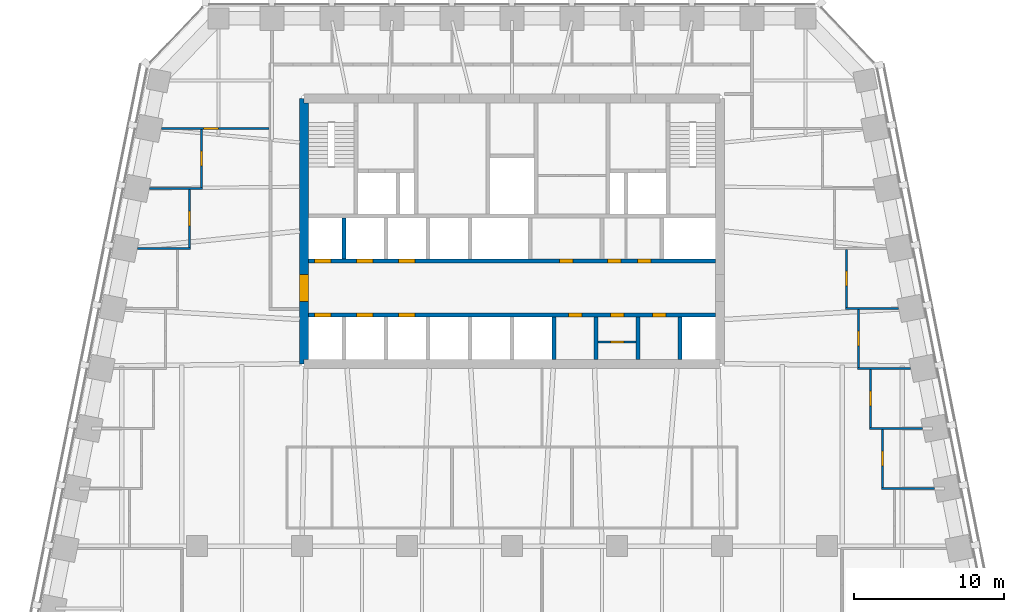
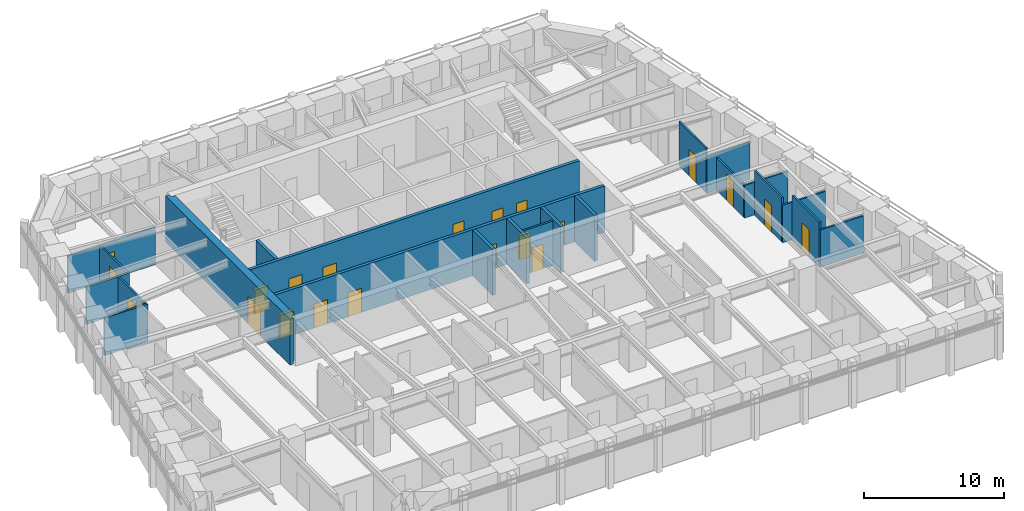
# One storey, part 7 of 11: 22 walls, 21 doors, 21 openings.
"""IFC4 building model written with IfcOpenShell, lengths in metres."""

from ifc_helpers import new_model, si_unit, direction, frame, frame_2d, origin, place, context, subcontext, project, spatial, polyline, rectangle, outline, extrude, material, layer, layer_set, type_object, element, fill, save


model = new_model("IFC4")

# Units and contexts
model_context = context("Model", 3, precision=1e-05, world=origin(), true_north=direction((0.0, 1.0)))
body_context = subcontext(model_context, "Body", "Model", "MODEL_VIEW")
ifc_project = project(units=[si_unit("LENGTHUNIT", "METRE"), si_unit("AREAUNIT", "SQUARE_METRE"), si_unit("VOLUMEUNIT", "CUBIC_METRE"), si_unit("PLANEANGLEUNIT", "RADIAN"), si_unit("MASSUNIT", "GRAM", prefix="KILO")], contexts=[model_context])

# Site, building, storey
site_placement = place(None, origin())
site = spatial("IfcSite", under=ifc_project, at=site_placement, CompositionType="ELEMENT")
building_placement = place(site_placement, origin())
building = spatial("IfcBuilding", under=site, at=building_placement, Name="Isbrekke Arena Tower", CompositionType="ELEMENT")
storey_placement = place(building_placement, frame((0.0, 0.0, 202.0)))
storey = spatial("IfcBuildingStorey", under=building, at=storey_placement, Name="L46", CompositionType="ELEMENT", Elevation=202.0)

# Wall, opening, door
ifc_material_1 = material(Name="Concrete B55 (C55/67)", Category="concrete")
ifc_layer_1 = layer(ifc_material_1, 0.60009765625)
ifc_layer_set_1 = layer_set([ifc_layer_1], Name="CW4 CORE WALL 600")
wall_type_1 = type_object("IfcWallType", Name="CW4 CORE WALL 600", PredefinedType="SHEAR", material=ifc_layer_set_1)
wall_1_placement = place(storey_placement, frame((-13.85009765625, 23.85009765625, 0.0), z_axis=(0.0, 0.0, 1.0), x_axis=(0.0, -1.0, 0.0)))
wall_1 = element("IfcWall", 1, at=wall_1_placement, inside=storey, type_object=wall_type_1, Name="Core wall W L46", PredefinedType="SHEAR", context=body_context, shape_type="SweptSolid", body=[
    extrude(outline(polyline([(0.0, -0.300048828125), (17.7001953125, -0.300048828125), (17.7001953125, 0.0), (17.400146484375, 0.0), (17.400146484375, 0.300048828125), (0.300048828125, 0.300048828125), (0.300048828125, 0.0), (0.0, 0.0), (0.0, -0.300048828125)])), origin(), (0.0, 0.0, 1.0), 4.0),
])
opening_1_placement = place(wall_1_placement, frame((11.75, 0.0, 0.0)))
opening_1 = element("IfcOpeningElement", 2, at=opening_1_placement, cuts=wall_1, Name="Opening D1", PredefinedType="OPENING", context=body_context, shape_type="SweptSolid", body=[
    extrude(rectangle(XDim=1.800048828125, YDim=2.39990234375, at=frame_2d((0.89990234375, 1.199951171875))), frame((0.0, 0.31494140625, 0.0), z_axis=(0.0, -1.0, 0.0), x_axis=(1.0, 0.0, 0.0)), (0.0, 0.0, 1.0), 0.6298828125),
])
ifc_material_2 = material(Name="Steel-framed glazed fire door", Category="steel")
door_type_1 = type_object("IfcDoorType", Name="D1 CORE LOBBY DOOR 1800 x 2400", OperationType="DOUBLE_DOOR_SINGLE_SWING", PredefinedType="DOOR", material=ifc_material_2)
door_1_placement = place(opening_1_placement, origin())
door_1 = element("IfcDoor", 3, at=door_1_placement, inside=storey, type_object=door_type_1, Name="D1 lift lobby door west L46", OperationType="DOUBLE_DOOR_SINGLE_SWING", OverallHeight=2.39990234375, OverallWidth=1.800048828125, PredefinedType="DOOR", context=body_context, shape_type="SweptSolid", body=[
    extrude(rectangle(XDim=1.800048828125, YDim=2.39990234375, at=frame_2d((0.89990234375, 1.199951171875))), frame((0.0, 0.2998046875, 0.0), z_axis=(0.0, -1.0, 0.0), x_axis=(1.0, 0.0, 0.0)), (0.0, 0.0, 1.0), 0.599609375),
])
fill(opening_1, door_1)

# Wall, openings, doors
ifc_material_3 = material(Name="Concrete B45 (C45/55)", Category="concrete")
ifc_layer_2 = layer(ifc_material_3, 0.25)
ifc_layer_set_2 = layer_set([ifc_layer_2], Name="CW6 SHAFT WALL 250")
wall_type_2 = type_object("IfcWallType", Name="CW6 SHAFT WALL 250", PredefinedType="SHEAR", material=ifc_layer_set_2)
wall_2_placement = place(storey_placement, frame((-13.550048828125, 9.39990234375, 0.0), z_axis=(0.0, 0.0, 1.0), x_axis=(1.0, 0.0, 0.0)))
wall_2 = element("IfcWall", 4, at=wall_2_placement, inside=storey, type_object=wall_type_2, Name="Core wall LS L46", PredefinedType="SHEAR", context=body_context, shape_type="SweptSolid", body=[
    extrude(rectangle(XDim=27.10009765625, YDim=0.25, at=frame_2d((13.550048828125, 0.0))), origin(), (0.0, 0.0, 1.0), 4.0),
])
opening_2_placement = place(wall_2_placement, frame((0.39990234375, 0.0, 0.0)))
opening_2 = element("IfcOpeningElement", 5, at=opening_2_placement, cuts=wall_2, Name="Opening LD1", PredefinedType="OPENING", context=body_context, shape_type="SweptSolid", body=[
    extrude(rectangle(XDim=1.10009765625, YDim=2.10009765625, at=frame_2d((0.550048828125, 1.050048828125))), frame((0.0, 0.139892578125, 0.0), z_axis=(0.0, -1.0, 0.0), x_axis=(1.0, 0.0, 0.0)), (0.0, 0.0, 1.0), 0.27978515625),
])
opening_3_placement = place(wall_2_placement, frame((3.199951171875, 0.0, 0.0)))
opening_3 = element("IfcOpeningElement", 6, at=opening_3_placement, cuts=wall_2, Name="Opening LD1", PredefinedType="OPENING", context=body_context, shape_type="SweptSolid", body=[
    extrude(rectangle(XDim=1.10009765625, YDim=2.10009765625, at=frame_2d((0.550048828125, 1.050048828125))), frame((0.0, 0.139892578125, 0.0), z_axis=(0.0, -1.0, 0.0), x_axis=(1.0, 0.0, 0.0)), (0.0, 0.0, 1.0), 0.27978515625),
])
opening_4_placement = place(wall_2_placement, frame((6.0, 0.0, 0.0)))
opening_4 = element("IfcOpeningElement", 7, at=opening_4_placement, cuts=wall_2, Name="Opening LD1", PredefinedType="OPENING", context=body_context, shape_type="SweptSolid", body=[
    extrude(rectangle(XDim=1.10009765625, YDim=2.10009765625, at=frame_2d((0.550048828125, 1.050048828125))), frame((0.0, 0.139892578125, 0.0), z_axis=(0.0, -1.0, 0.0), x_axis=(1.0, 0.0, 0.0)), (0.0, 0.0, 1.0), 0.27978515625),
])
opening_5_placement = place(wall_2_placement, frame((17.300048828125, 0.0, 0.0)))
opening_5 = element("IfcOpeningElement", 8, at=opening_5_placement, cuts=wall_2, Name="Opening D5", PredefinedType="OPENING", context=body_context, shape_type="SweptSolid", body=[
    extrude(rectangle(XDim=0.89990234375, YDim=2.10009765625, at=frame_2d((0.449951171875, 1.050048828125))), frame((0.0, 0.139892578125, 0.0), z_axis=(0.0, -1.0, 0.0), x_axis=(1.0, 0.0, 0.0)), (0.0, 0.0, 1.0), 0.27978515625),
])
opening_6_placement = place(wall_2_placement, frame((20.10009765625, 0.0, 0.0)))
opening_6 = element("IfcOpeningElement", 9, at=opening_6_placement, cuts=wall_2, Name="Opening D5", PredefinedType="OPENING", context=body_context, shape_type="SweptSolid", body=[
    extrude(rectangle(XDim=0.89990234375, YDim=2.10009765625, at=frame_2d((0.449951171875, 1.050048828125))), frame((0.0, 0.139892578125, 0.0), z_axis=(0.0, -1.0, 0.0), x_axis=(1.0, 0.0, 0.0)), (0.0, 0.0, 1.0), 0.27978515625),
])
opening_7_placement = place(wall_2_placement, frame((22.89990234375, 0.0, 0.0)))
opening_7 = element("IfcOpeningElement", 10, at=opening_7_placement, cuts=wall_2, Name="Opening D5", PredefinedType="OPENING", context=body_context, shape_type="SweptSolid", body=[
    extrude(rectangle(XDim=0.89990234375, YDim=2.10009765625, at=frame_2d((0.449951171875, 1.050048828125))), frame((0.0, 0.139892578125, 0.0), z_axis=(0.0, -1.0, 0.0), x_axis=(1.0, 0.0, 0.0)), (0.0, 0.0, 1.0), 0.27978515625),
])
ifc_material_4 = material(Name="Steel fire door", Category="steel")
door_type_2 = type_object("IfcDoorType", Name="D5 SERVICE DOOR 900 x 2100", OperationType="SINGLE_SWING_LEFT", PredefinedType="DOOR", material=ifc_material_4)
door_2_placement = place(opening_5_placement, origin())
door_2 = element("IfcDoor", 11, at=door_2_placement, inside=storey, type_object=door_type_2, Name="D5 archive door L46", OperationType="SINGLE_SWING_LEFT", OverallHeight=2.10009765625, OverallWidth=0.89990234375, PredefinedType="DOOR", context=body_context, shape_type="SweptSolid", body=[
    extrude(rectangle(XDim=0.89990234375, YDim=2.10009765625, at=frame_2d((0.449951171875, 1.050048828125))), frame((0.0, 0.124755859375, 0.0), z_axis=(0.0, -1.0, 0.0), x_axis=(1.0, 0.0, 0.0)), (0.0, 0.0, 1.0), 0.24951171875),
])
fill(opening_5, door_2)
door_3_placement = place(opening_6_placement, origin())
door_3 = element("IfcDoor", 12, at=door_3_placement, inside=storey, type_object=door_type_2, Name="D5 mothers' room door L46", OperationType="SINGLE_SWING_LEFT", OverallHeight=2.10009765625, OverallWidth=0.89990234375, PredefinedType="DOOR", context=body_context, shape_type="SweptSolid", body=[
    extrude(rectangle(XDim=0.89990234375, YDim=2.10009765625, at=frame_2d((0.449951171875, 1.050048828125))), frame((0.0, 0.124755859375, 0.0), z_axis=(0.0, -1.0, 0.0), x_axis=(1.0, 0.0, 0.0)), (0.0, 0.0, 1.0), 0.24951171875),
])
fill(opening_6, door_3)
door_4_placement = place(opening_7_placement, origin())
door_4 = element("IfcDoor", 13, at=door_4_placement, inside=storey, type_object=door_type_2, Name="D5 technical room door L46", OperationType="SINGLE_SWING_LEFT", OverallHeight=2.10009765625, OverallWidth=0.89990234375, PredefinedType="DOOR", context=body_context, shape_type="SweptSolid", body=[
    extrude(rectangle(XDim=0.89990234375, YDim=2.10009765625, at=frame_2d((0.449951171875, 1.050048828125))), frame((0.0, 0.124755859375, 0.0), z_axis=(0.0, -1.0, 0.0), x_axis=(1.0, 0.0, 0.0)), (0.0, 0.0, 1.0), 0.24951171875),
])
fill(opening_7, door_4)
ifc_material_5 = material(Name="Stainless steel lift landing door", Category="steel")
door_type_3 = type_object("IfcDoorType", Name="LD1 LIFT LANDING DOOR 1100 x 2100", OperationType="SLIDING_TO_LEFT", PredefinedType="DOOR", material=ifc_material_5)
door_5_placement = place(opening_2_placement, origin())
door_5 = element("IfcDoor", 14, at=door_5_placement, inside=storey, type_object=door_type_3, Name="LD1 lift landing door LC L46", OperationType="SLIDING_TO_LEFT", OverallHeight=2.10009765625, OverallWidth=1.10009765625, PredefinedType="DOOR", context=body_context, shape_type="SweptSolid", body=[
    extrude(rectangle(XDim=1.10009765625, YDim=2.10009765625, at=frame_2d((0.550048828125, 1.050048828125))), frame((0.0, 0.124755859375, 0.0), z_axis=(0.0, -1.0, 0.0), x_axis=(1.0, 0.0, 0.0)), (0.0, 0.0, 1.0), 0.24951171875),
])
fill(opening_2, door_5)
door_6_placement = place(opening_3_placement, origin())
door_6 = element("IfcDoor", 15, at=door_6_placement, inside=storey, type_object=door_type_3, Name="LD1 lift landing door LC L46", OperationType="SLIDING_TO_LEFT", OverallHeight=2.10009765625, OverallWidth=1.10009765625, PredefinedType="DOOR", context=body_context, shape_type="SweptSolid", body=[
    extrude(rectangle(XDim=1.10009765625, YDim=2.10009765625, at=frame_2d((0.550048828125, 1.050048828125))), frame((0.0, 0.124755859375, 0.0), z_axis=(0.0, -1.0, 0.0), x_axis=(1.0, 0.0, 0.0)), (0.0, 0.0, 1.0), 0.24951171875),
])
fill(opening_3, door_6)
door_7_placement = place(opening_4_placement, origin())
door_7 = element("IfcDoor", 16, at=door_7_placement, inside=storey, type_object=door_type_3, Name="LD1 lift landing door LC L46", OperationType="SLIDING_TO_LEFT", OverallHeight=2.10009765625, OverallWidth=1.10009765625, PredefinedType="DOOR", context=body_context, shape_type="SweptSolid", body=[
    extrude(rectangle(XDim=1.10009765625, YDim=2.10009765625, at=frame_2d((0.550048828125, 1.050048828125))), frame((0.0, 0.124755859375, 0.0), z_axis=(0.0, -1.0, 0.0), x_axis=(1.0, 0.0, 0.0)), (0.0, 0.0, 1.0), 0.24951171875),
])
fill(opening_4, door_7)

wall_3_placement = place(storey_placement, frame((-13.550048828125, 13.0, 0.0), z_axis=(0.0, 0.0, 1.0), x_axis=(1.0, 0.0, 0.0)))
wall_3 = element("IfcWall", 17, at=wall_3_placement, inside=storey, type_object=wall_type_2, Name="Core wall LN L46", PredefinedType="SHEAR", context=body_context, shape_type="SweptSolid", body=[
    extrude(rectangle(XDim=27.10009765625, YDim=0.25, at=frame_2d((13.550048828125, 0.0))), origin(), (0.0, 0.0, 1.0), 4.0),
])
opening_8_placement = place(wall_3_placement, frame((0.39990234375, 0.0, 0.0)))
opening_8 = element("IfcOpeningElement", 18, at=opening_8_placement, cuts=wall_3, Name="Opening LD1", PredefinedType="OPENING", context=body_context, shape_type="SweptSolid", body=[
    extrude(rectangle(XDim=1.10009765625, YDim=2.10009765625, at=frame_2d((0.550048828125, 1.050048828125))), frame((0.0, 0.139892578125, 0.0), z_axis=(0.0, -1.0, 0.0), x_axis=(1.0, 0.0, 0.0)), (0.0, 0.0, 1.0), 0.27978515625),
])
opening_9_placement = place(wall_3_placement, frame((3.199951171875, 0.0, 0.0)))
opening_9 = element("IfcOpeningElement", 19, at=opening_9_placement, cuts=wall_3, Name="Opening LD1", PredefinedType="OPENING", context=body_context, shape_type="SweptSolid", body=[
    extrude(rectangle(XDim=1.10009765625, YDim=2.10009765625, at=frame_2d((0.550048828125, 1.050048828125))), frame((0.0, 0.139892578125, 0.0), z_axis=(0.0, -1.0, 0.0), x_axis=(1.0, 0.0, 0.0)), (0.0, 0.0, 1.0), 0.27978515625),
])
opening_10_placement = place(wall_3_placement, frame((6.0, 0.0, 0.0)))
opening_10 = element("IfcOpeningElement", 20, at=opening_10_placement, cuts=wall_3, Name="Opening LD1", PredefinedType="OPENING", context=body_context, shape_type="SweptSolid", body=[
    extrude(rectangle(XDim=1.10009765625, YDim=2.10009765625, at=frame_2d((0.550048828125, 1.050048828125))), frame((0.0, 0.139892578125, 0.0), z_axis=(0.0, -1.0, 0.0), x_axis=(1.0, 0.0, 0.0)), (0.0, 0.0, 1.0), 0.27978515625),
])
opening_11_placement = place(wall_3_placement, frame((16.699951171875, 0.0, 0.0)))
opening_11 = element("IfcOpeningElement", 21, at=opening_11_placement, cuts=wall_3, Name="Opening D5", PredefinedType="OPENING", context=body_context, shape_type="SweptSolid", body=[
    extrude(rectangle(XDim=0.89990234375, YDim=2.10009765625, at=frame_2d((0.449951171875, 1.050048828125))), frame((0.0, 0.139892578125, 0.0), z_axis=(0.0, -1.0, 0.0), x_axis=(1.0, 0.0, 0.0)), (0.0, 0.0, 1.0), 0.27978515625),
])
opening_12_placement = place(wall_3_placement, frame((19.89990234375, 0.0, 0.0)))
opening_12 = element("IfcOpeningElement", 22, at=opening_12_placement, cuts=wall_3, Name="Opening D5", PredefinedType="OPENING", context=body_context, shape_type="SweptSolid", body=[
    extrude(rectangle(XDim=0.89990234375, YDim=2.10009765625, at=frame_2d((0.449951171875, 1.050048828125))), frame((0.0, 0.139892578125, 0.0), z_axis=(0.0, -1.0, 0.0), x_axis=(1.0, 0.0, 0.0)), (0.0, 0.0, 1.0), 0.27978515625),
])
opening_13_placement = place(wall_3_placement, frame((21.89990234375, 0.0, 0.0)))
opening_13 = element("IfcOpeningElement", 23, at=opening_13_placement, cuts=wall_3, Name="Opening D5", PredefinedType="OPENING", context=body_context, shape_type="SweptSolid", body=[
    extrude(rectangle(XDim=0.89990234375, YDim=2.10009765625, at=frame_2d((0.449951171875, 1.050048828125))), frame((0.0, 0.139892578125, 0.0), z_axis=(0.0, -1.0, 0.0), x_axis=(1.0, 0.0, 0.0)), (0.0, 0.0, 1.0), 0.27978515625),
])
door_8_placement = place(opening_11_placement, origin())
door_8 = element("IfcDoor", 24, at=door_8_placement, inside=storey, type_object=door_type_2, Name="D5 meeting room door L46", OperationType="SINGLE_SWING_LEFT", OverallHeight=2.10009765625, OverallWidth=0.89990234375, PredefinedType="DOOR", context=body_context, shape_type="SweptSolid", body=[
    extrude(rectangle(XDim=0.89990234375, YDim=2.10009765625, at=frame_2d((0.449951171875, 1.050048828125))), frame((0.0, 0.124755859375, 0.0), z_axis=(0.0, -1.0, 0.0), x_axis=(1.0, 0.0, 0.0)), (0.0, 0.0, 1.0), 0.24951171875),
])
fill(opening_11, door_8)
door_9_placement = place(opening_12_placement, origin())
door_9 = element("IfcDoor", 25, at=door_9_placement, inside=storey, type_object=door_type_2, Name="D5 cleaner's store door L46", OperationType="SINGLE_SWING_LEFT", OverallHeight=2.10009765625, OverallWidth=0.89990234375, PredefinedType="DOOR", context=body_context, shape_type="SweptSolid", body=[
    extrude(rectangle(XDim=0.89990234375, YDim=2.10009765625, at=frame_2d((0.449951171875, 1.050048828125))), frame((0.0, 0.124755859375, 0.0), z_axis=(0.0, -1.0, 0.0), x_axis=(1.0, 0.0, 0.0)), (0.0, 0.0, 1.0), 0.24951171875),
])
fill(opening_12, door_9)
door_10_placement = place(opening_13_placement, origin())
door_10 = element("IfcDoor", 26, at=door_10_placement, inside=storey, type_object=door_type_2, Name="D5 communications room door L46", OperationType="SINGLE_SWING_LEFT", OverallHeight=2.10009765625, OverallWidth=0.89990234375, PredefinedType="DOOR", context=body_context, shape_type="SweptSolid", body=[
    extrude(rectangle(XDim=0.89990234375, YDim=2.10009765625, at=frame_2d((0.449951171875, 1.050048828125))), frame((0.0, 0.124755859375, 0.0), z_axis=(0.0, -1.0, 0.0), x_axis=(1.0, 0.0, 0.0)), (0.0, 0.0, 1.0), 0.24951171875),
])
fill(opening_13, door_10)
door_11_placement = place(opening_8_placement, origin())
door_11 = element("IfcDoor", 27, at=door_11_placement, inside=storey, type_object=door_type_3, Name="LD1 lift landing door LC L46", OperationType="SLIDING_TO_LEFT", OverallHeight=2.10009765625, OverallWidth=1.10009765625, PredefinedType="DOOR", context=body_context, shape_type="SweptSolid", body=[
    extrude(rectangle(XDim=1.10009765625, YDim=2.10009765625, at=frame_2d((0.550048828125, 1.050048828125))), frame((0.0, 0.124755859375, 0.0), z_axis=(0.0, -1.0, 0.0), x_axis=(1.0, 0.0, 0.0)), (0.0, 0.0, 1.0), 0.24951171875),
])
fill(opening_8, door_11)
door_12_placement = place(opening_9_placement, origin())
door_12 = element("IfcDoor", 28, at=door_12_placement, inside=storey, type_object=door_type_3, Name="LD1 lift landing door LC L46", OperationType="SLIDING_TO_LEFT", OverallHeight=2.10009765625, OverallWidth=1.10009765625, PredefinedType="DOOR", context=body_context, shape_type="SweptSolid", body=[
    extrude(rectangle(XDim=1.10009765625, YDim=2.10009765625, at=frame_2d((0.550048828125, 1.050048828125))), frame((0.0, 0.124755859375, 0.0), z_axis=(0.0, -1.0, 0.0), x_axis=(1.0, 0.0, 0.0)), (0.0, 0.0, 1.0), 0.24951171875),
])
fill(opening_9, door_12)
door_13_placement = place(opening_10_placement, origin())
door_13 = element("IfcDoor", 29, at=door_13_placement, inside=storey, type_object=door_type_3, Name="LD1 lift landing door LC L46", OperationType="SLIDING_TO_LEFT", OverallHeight=2.10009765625, OverallWidth=1.10009765625, PredefinedType="DOOR", context=body_context, shape_type="SweptSolid", body=[
    extrude(rectangle(XDim=1.10009765625, YDim=2.10009765625, at=frame_2d((0.550048828125, 1.050048828125))), frame((0.0, 0.124755859375, 0.0), z_axis=(0.0, -1.0, 0.0), x_axis=(1.0, 0.0, 0.0)), (0.0, 0.0, 1.0), 0.24951171875),
])
fill(opening_10, door_13)

# Walls
for number, where, z_axis, x_axis, name in (
    (30, (2.800048828125, 6.449951171875, 0.0), (0.0, 0.0, 1.0), (0.0, 1.0, 0.0), "Core wall SS06 L46"),
    (31, (5.60009765625, 6.449951171875, 0.0), (0.0, 0.0, 1.0), (0.0, 1.0, 0.0), "Core wall SS07 L46"),
    (32, (8.39990234375, 6.449951171875, 0.0), (0.0, 0.0, 1.0), (0.0, 1.0, 0.0), "Core wall SS08 L46"),
    (33, (11.199951171875, 6.449951171875, 0.0), (0.0, 0.0, 1.0), (0.0, 1.0, 0.0), "Core wall SS09 L46"),
):
    element("IfcWall", number, at=place(storey_placement, frame(where, z_axis=z_axis, x_axis=x_axis)), inside=storey, type_object=wall_type_2, Name=name, PredefinedType="SHEAR", context=body_context, shape_type="SweptSolid", body=[
        extrude(rectangle(XDim=2.824951171875, YDim=0.25, at=frame_2d((1.41259765625, 0.0))), origin(), (0.0, 0.0, 1.0), 4.0),
    ])
wall_4_placement = place(storey_placement, frame((-11.199951171875, 13.125, 0.0), z_axis=(0.0, 0.0, 1.0), x_axis=(0.0, 1.0, 0.0)))
element("IfcWall", 34, at=wall_4_placement, inside=storey, type_object=wall_type_2, Name="Core wall SN01 L46", PredefinedType="SHEAR", context=body_context, shape_type="SweptSolid", body=[
    extrude(rectangle(XDim=2.75, YDim=0.25, at=frame_2d((1.375, 0.0))), origin(), (0.0, 0.0, 1.0), 4.0),
])
ifc_material_6 = material(Name="Gypsum board partition on steel studs", Category="steel")
ifc_layer_3 = layer(ifc_material_6, 0.14990234375)
ifc_layer_set_3 = layer_set([ifc_layer_3], Name="IW1 PARTITION 150")
wall_type_3 = type_object("IfcWallType", Name="IW1 PARTITION 150", PredefinedType="PARTITIONING", material=ifc_layer_set_3)
for number, where, z_axis, x_axis, name in (
    (35, (24.625, -2.159912109375, 0.0), (0.0, 0.0, 1.0), (1.0, 0.0, 0.0), "IW1 partition 150 L46"),
    (36, (23.824951171875, 1.840087890625, 0.0), (0.0, 0.0, 1.0), (1.0, 0.0, 0.0), "IW1 partition 150 L46"),
):
    element("IfcWall", number, at=place(storey_placement, frame(where, z_axis=z_axis, x_axis=x_axis)), inside=storey, type_object=wall_type_3, Name=name, PredefinedType="PARTITIONING", context=body_context, shape_type="SweptSolid", body=[
        extrude(rectangle(XDim=3.5498046875, YDim=0.14990234375, at=frame_2d((1.77490234375, 0.0))), origin(), (0.0, 0.0, 1.0), 3.25),
    ])
wall_5_placement = place(storey_placement, frame((23.02490234375, 5.840087890625, 0.0), z_axis=(0.0, 0.0, 1.0), x_axis=(1.0, 0.0, 0.0)))
element("IfcWall", 37, at=wall_5_placement, inside=storey, type_object=wall_type_3, Name="IW1 partition 150 L46", PredefinedType="PARTITIONING", context=body_context, shape_type="SweptSolid", body=[
    extrude(rectangle(XDim=3.5498046875, YDim=0.14990234375, at=frame_2d((1.77490234375, 0.0))), origin(), (0.0, 0.0, 1.0), 2.842041015625),
])
for number, where, z_axis, x_axis, name in (
    (38, (22.22509765625, 9.840087890625, 0.0), (0.0, 0.0, 1.0), (1.0, 0.0, 0.0), "IW1 partition 150 L46"),
    (39, (-24.974853515625, 13.840087890625, 0.0), (0.0, 0.0, 1.0), (1.0, 0.0, 0.0), "IW1 partition 150 L46"),
    (40, (-24.1748046875, 17.840087890625, 0.0), (0.0, 0.0, 1.0), (1.0, 0.0, 0.0), "IW1 partition 150 L46"),
):
    element("IfcWall", number, at=place(storey_placement, frame(where, z_axis=z_axis, x_axis=x_axis)), inside=storey, type_object=wall_type_3, Name=name, PredefinedType="PARTITIONING", context=body_context, shape_type="SweptSolid", body=[
        extrude(rectangle(XDim=3.5498046875, YDim=0.14990234375, at=frame_2d((1.77490234375, 0.0))), origin(), (0.0, 0.0, 1.0), 3.25),
    ])

# Wall, opening, door
wall_6_placement = place(storey_placement, frame((-23.374755859375, 21.840087890625, 0.0), z_axis=(0.0, 0.0, 1.0), x_axis=(1.0, 0.0, 0.0)))
wall_6 = element("IfcWall", 41, at=wall_6_placement, inside=storey, type_object=wall_type_3, Name="IW1 partition 150 L46", PredefinedType="PARTITIONING", context=body_context, shape_type="SweptSolid", body=[
    extrude(rectangle(XDim=7.1748046875, YDim=0.14990234375, at=frame_2d((3.58740234375, 0.0))), origin(), (0.0, 0.0, 1.0), 3.25),
])
opening_14_placement = place(wall_6_placement, frame((2.815673828125, 0.0, 0.0)))
opening_14 = element("IfcOpeningElement", 42, at=opening_14_placement, cuts=wall_6, Name="Opening D10", PredefinedType="OPENING", context=body_context, shape_type="SweptSolid", body=[
    extrude(rectangle(XDim=1.0, YDim=2.300048828125, at=frame_2d((0.5, 1.14990234375))), frame((0.0, 0.08984375, 0.0), z_axis=(0.0, -1.0, 0.0), x_axis=(1.0, 0.0, 0.0)), (0.0, 0.0, 1.0), 0.1796875),
])
ifc_material_7 = material(Name="Timber door", Category="wood")
door_type_4 = type_object("IfcDoorType", Name="D10 OFFICE DOOR 1000 x 2300", OperationType="SINGLE_SWING_LEFT", PredefinedType="DOOR", material=ifc_material_7)
door_14_placement = place(opening_14_placement, origin())
door_14 = element("IfcDoor", 43, at=door_14_placement, inside=storey, type_object=door_type_4, Name="D10 office door L46", OperationType="SINGLE_SWING_LEFT", OverallHeight=2.300048828125, OverallWidth=1.0, PredefinedType="DOOR", context=body_context, shape_type="SweptSolid", body=[
    extrude(rectangle(XDim=1.0, YDim=2.300048828125, at=frame_2d((0.5, 1.14990234375))), frame((0.0, 0.07470703125, 0.0), z_axis=(0.0, -1.0, 0.0), x_axis=(1.0, 0.0, 0.0)), (0.0, 0.0, 1.0), 0.1494140625),
])
fill(opening_14, door_14)

wall_7_placement = place(storey_placement, frame((-21.5, 13.9150390625, 0.0), z_axis=(0.0, 0.0, 1.0), x_axis=(0.0, 1.0, 0.0)))
wall_7 = element("IfcWall", 44, at=wall_7_placement, inside=storey, type_object=wall_type_3, Name="IW1 partition 150 L46", PredefinedType="PARTITIONING", context=body_context, shape_type="SweptSolid", body=[
    extrude(rectangle(XDim=3.849853515625, YDim=0.14990234375, at=frame_2d((1.9248046875, 0.0))), origin(), (0.0, 0.0, 1.0), 3.25),
])
opening_15_placement = place(wall_7_placement, frame((1.425048828125, 0.0, 0.0)))
opening_15 = element("IfcOpeningElement", 45, at=opening_15_placement, cuts=wall_7, Name="Opening D10", PredefinedType="OPENING", context=body_context, shape_type="SweptSolid", body=[
    extrude(rectangle(XDim=1.0, YDim=2.300048828125, at=frame_2d((0.5, 1.14990234375))), frame((0.0, 0.08984375, 0.0), z_axis=(0.0, -1.0, 0.0), x_axis=(1.0, 0.0, 0.0)), (0.0, 0.0, 1.0), 0.1796875),
])
door_15_placement = place(opening_15_placement, origin())
door_15 = element("IfcDoor", 46, at=door_15_placement, inside=storey, type_object=door_type_4, Name="D10 office door L46", OperationType="SINGLE_SWING_LEFT", OverallHeight=2.300048828125, OverallWidth=1.0, PredefinedType="DOOR", context=body_context, shape_type="SweptSolid", body=[
    extrude(rectangle(XDim=1.0, YDim=2.300048828125, at=frame_2d((0.5, 1.14990234375))), frame((0.0, 0.07470703125, 0.0), z_axis=(0.0, -1.0, 0.0), x_axis=(1.0, 0.0, 0.0)), (0.0, 0.0, 1.0), 0.1494140625),
])
fill(opening_15, door_15)

wall_8_placement = place(storey_placement, frame((-20.699951171875, 17.9150390625, 0.0), z_axis=(0.0, 0.0, 1.0), x_axis=(0.0, 1.0, 0.0)))
wall_8 = element("IfcWall", 47, at=wall_8_placement, inside=storey, type_object=wall_type_3, Name="IW1 partition 150 L46", PredefinedType="PARTITIONING", context=body_context, shape_type="SweptSolid", body=[
    extrude(rectangle(XDim=3.849853515625, YDim=0.14990234375, at=frame_2d((1.9248046875, 0.0))), origin(), (0.0, 0.0, 1.0), 3.25),
])
opening_16_placement = place(wall_8_placement, frame((1.425048828125, 0.0, 0.0)))
opening_16 = element("IfcOpeningElement", 48, at=opening_16_placement, cuts=wall_8, Name="Opening D10", PredefinedType="OPENING", context=body_context, shape_type="SweptSolid", body=[
    extrude(rectangle(XDim=1.0, YDim=2.300048828125, at=frame_2d((0.5, 1.14990234375))), frame((0.0, 0.08984375, 0.0), z_axis=(0.0, -1.0, 0.0), x_axis=(1.0, 0.0, 0.0)), (0.0, 0.0, 1.0), 0.1796875),
])
door_16_placement = place(opening_16_placement, origin())
door_16 = element("IfcDoor", 49, at=door_16_placement, inside=storey, type_object=door_type_4, Name="D10 office door L46", OperationType="SINGLE_SWING_LEFT", OverallHeight=2.300048828125, OverallWidth=1.0, PredefinedType="DOOR", context=body_context, shape_type="SweptSolid", body=[
    extrude(rectangle(XDim=1.0, YDim=2.300048828125, at=frame_2d((0.5, 1.14990234375))), frame((0.0, 0.07470703125, 0.0), z_axis=(0.0, -1.0, 0.0), x_axis=(1.0, 0.0, 0.0)), (0.0, 0.0, 1.0), 0.1494140625),
])
fill(opening_16, door_16)

wall_9_placement = place(storey_placement, frame((22.300048828125, 9.9150390625, 0.0), z_axis=(0.0, 0.0, 1.0), x_axis=(0.0, 1.0, 0.0)))
wall_9 = element("IfcWall", 50, at=wall_9_placement, inside=storey, type_object=wall_type_3, Name="IW1 partition 150 L46", PredefinedType="PARTITIONING", context=body_context, shape_type="SweptSolid", body=[
    extrude(rectangle(XDim=3.849853515625, YDim=0.14990234375, at=frame_2d((1.9248046875, 0.0))), origin(), (0.0, 0.0, 1.0), 3.85009765625),
])
opening_17_placement = place(wall_9_placement, frame((1.425048828125, 0.0, 0.0)))
opening_17 = element("IfcOpeningElement", 51, at=opening_17_placement, cuts=wall_9, Name="Opening D10", PredefinedType="OPENING", context=body_context, shape_type="SweptSolid", body=[
    extrude(rectangle(XDim=1.0, YDim=2.300048828125, at=frame_2d((0.5, 1.14990234375))), frame((0.0, 0.08984375, 0.0), z_axis=(0.0, -1.0, 0.0), x_axis=(1.0, 0.0, 0.0)), (0.0, 0.0, 1.0), 0.1796875),
])
door_17_placement = place(opening_17_placement, origin())
door_17 = element("IfcDoor", 52, at=door_17_placement, inside=storey, type_object=door_type_4, Name="D10 office door L46", OperationType="SINGLE_SWING_LEFT", OverallHeight=2.300048828125, OverallWidth=1.0, PredefinedType="DOOR", context=body_context, shape_type="SweptSolid", body=[
    extrude(rectangle(XDim=1.0, YDim=2.300048828125, at=frame_2d((0.5, 1.14990234375))), frame((0.0, 0.07470703125, 0.0), z_axis=(0.0, -1.0, 0.0), x_axis=(1.0, 0.0, 0.0)), (0.0, 0.0, 1.0), 0.1494140625),
])
fill(opening_17, door_17)

wall_10_placement = place(storey_placement, frame((23.10009765625, 5.9150390625, 0.0), z_axis=(0.0, 0.0, 1.0), x_axis=(0.0, 1.0, 0.0)))
wall_10 = element("IfcWall", 53, at=wall_10_placement, inside=storey, type_object=wall_type_3, Name="IW1 partition 150 L46", PredefinedType="PARTITIONING", context=body_context, shape_type="SweptSolid", body=[
    extrude(rectangle(XDim=3.849853515625, YDim=0.14990234375, at=frame_2d((1.9248046875, 0.0))), origin(), (0.0, 0.0, 1.0), 2.842041015625),
])
opening_18_placement = place(wall_10_placement, frame((1.425048828125, 0.0, 0.0)))
opening_18 = element("IfcOpeningElement", 54, at=opening_18_placement, cuts=wall_10, Name="Opening D10", PredefinedType="OPENING", context=body_context, shape_type="SweptSolid", body=[
    extrude(rectangle(XDim=1.0, YDim=2.300048828125, at=frame_2d((0.5, 1.14990234375))), frame((0.0, 0.08984375, 0.0), z_axis=(0.0, -1.0, 0.0), x_axis=(1.0, 0.0, 0.0)), (0.0, 0.0, 1.0), 0.1796875),
])
door_18_placement = place(opening_18_placement, origin())
door_18 = element("IfcDoor", 55, at=door_18_placement, inside=storey, type_object=door_type_4, Name="D10 office door L46", OperationType="SINGLE_SWING_LEFT", OverallHeight=2.300048828125, OverallWidth=1.0, PredefinedType="DOOR", context=body_context, shape_type="SweptSolid", body=[
    extrude(rectangle(XDim=1.0, YDim=2.300048828125, at=frame_2d((0.5, 1.14990234375))), frame((0.0, 0.07470703125, 0.0), z_axis=(0.0, -1.0, 0.0), x_axis=(1.0, 0.0, 0.0)), (0.0, 0.0, 1.0), 0.1494140625),
])
fill(opening_18, door_18)

wall_11_placement = place(storey_placement, frame((23.89990234375, 1.9150390625, 0.0), z_axis=(0.0, 0.0, 1.0), x_axis=(0.0, 1.0, 0.0)))
wall_11 = element("IfcWall", 56, at=wall_11_placement, inside=storey, type_object=wall_type_3, Name="IW1 partition 150 L46", PredefinedType="PARTITIONING", context=body_context, shape_type="SweptSolid", body=[
    extrude(rectangle(XDim=3.849853515625, YDim=0.14990234375, at=frame_2d((1.9248046875, 0.0))), origin(), (0.0, 0.0, 1.0), 3.85009765625),
])
opening_19_placement = place(wall_11_placement, frame((1.425048828125, 0.0, 0.0)))
opening_19 = element("IfcOpeningElement", 57, at=opening_19_placement, cuts=wall_11, Name="Opening D10", PredefinedType="OPENING", context=body_context, shape_type="SweptSolid", body=[
    extrude(rectangle(XDim=1.0, YDim=2.300048828125, at=frame_2d((0.5, 1.14990234375))), frame((0.0, 0.08984375, 0.0), z_axis=(0.0, -1.0, 0.0), x_axis=(1.0, 0.0, 0.0)), (0.0, 0.0, 1.0), 0.1796875),
])
door_19_placement = place(opening_19_placement, origin())
door_19 = element("IfcDoor", 58, at=door_19_placement, inside=storey, type_object=door_type_4, Name="D10 office door L46", OperationType="SINGLE_SWING_LEFT", OverallHeight=2.300048828125, OverallWidth=1.0, PredefinedType="DOOR", context=body_context, shape_type="SweptSolid", body=[
    extrude(rectangle(XDim=1.0, YDim=2.300048828125, at=frame_2d((0.5, 1.14990234375))), frame((0.0, 0.07470703125, 0.0), z_axis=(0.0, -1.0, 0.0), x_axis=(1.0, 0.0, 0.0)), (0.0, 0.0, 1.0), 0.1494140625),
])
fill(opening_19, door_19)

wall_12_placement = place(storey_placement, frame((24.699951171875, -2.0849609375, 0.0), z_axis=(0.0, 0.0, 1.0), x_axis=(0.0, 1.0, 0.0)))
wall_12 = element("IfcWall", 59, at=wall_12_placement, inside=storey, type_object=wall_type_3, Name="IW1 partition 150 L46", PredefinedType="PARTITIONING", context=body_context, shape_type="SweptSolid", body=[
    extrude(rectangle(XDim=3.849853515625, YDim=0.14990234375, at=frame_2d((1.9248046875, 0.0))), origin(), (0.0, 0.0, 1.0), 3.85009765625),
])
opening_20_placement = place(wall_12_placement, frame((1.425048828125, 0.0, 0.0)))
opening_20 = element("IfcOpeningElement", 60, at=opening_20_placement, cuts=wall_12, Name="Opening D10", PredefinedType="OPENING", context=body_context, shape_type="SweptSolid", body=[
    extrude(rectangle(XDim=1.0, YDim=2.300048828125, at=frame_2d((0.5, 1.14990234375))), frame((0.0, 0.08984375, 0.0), z_axis=(0.0, -1.0, 0.0), x_axis=(1.0, 0.0, 0.0)), (0.0, 0.0, 1.0), 0.1796875),
])
door_20_placement = place(opening_20_placement, origin())
door_20 = element("IfcDoor", 61, at=door_20_placement, inside=storey, type_object=door_type_4, Name="D10 office door L46", OperationType="SINGLE_SWING_LEFT", OverallHeight=2.300048828125, OverallWidth=1.0, PredefinedType="DOOR", context=body_context, shape_type="SweptSolid", body=[
    extrude(rectangle(XDim=1.0, YDim=2.300048828125, at=frame_2d((0.5, 1.14990234375))), frame((0.0, 0.07470703125, 0.0), z_axis=(0.0, -1.0, 0.0), x_axis=(1.0, 0.0, 0.0)), (0.0, 0.0, 1.0), 0.1494140625),
])
fill(opening_20, door_20)

ifc_material_8 = material(Name="Gypsum board fire-rated partition on steel studs, two layers each side", Category="steel")
ifc_layer_4 = layer(ifc_material_8, 0.14990234375)
ifc_layer_set_4 = layer_set([ifc_layer_4], Name="IW5 FIRE-RATED PARTITION 150")
wall_type_4 = type_object("IfcWallType", Name="IW5 FIRE-RATED PARTITION 150", PredefinedType="PARTITIONING", material=ifc_layer_set_4)
wall_13_placement = place(storey_placement, frame((5.72509765625, 7.60009765625, 0.0), z_axis=(0.0, 0.0, 1.0), x_axis=(1.0, 0.0, 0.0)))
wall_13 = element("IfcWall", 62, at=wall_13_placement, inside=storey, type_object=wall_type_4, Name="IW5 fire-rated partition L46 core service rooms 2", PredefinedType="PARTITIONING", context=body_context, shape_type="SweptSolid", body=[
    extrude(rectangle(XDim=2.5498046875, YDim=0.14990234375, at=frame_2d((1.27490234375, 0.0))), origin(), (0.0, 0.0, 1.0), 3.85009765625),
])
opening_21_placement = place(wall_13_placement, frame((0.824951171875, 0.0, 0.0)))
opening_21 = element("IfcOpeningElement", 63, at=opening_21_placement, cuts=wall_13, Name="Opening D5", PredefinedType="OPENING", context=body_context, shape_type="SweptSolid", body=[
    extrude(rectangle(XDim=0.89990234375, YDim=2.10009765625, at=frame_2d((0.449951171875, 1.050048828125))), frame((0.0, 0.08984375, 0.0), z_axis=(0.0, -1.0, 0.0), x_axis=(1.0, 0.0, 0.0)), (0.0, 0.0, 1.0), 0.1796875),
])
door_21_placement = place(opening_21_placement, origin())
door_21 = element("IfcDoor", 64, at=door_21_placement, inside=storey, type_object=door_type_2, Name="D5 tenant store door L46", OperationType="SINGLE_SWING_LEFT", OverallHeight=2.10009765625, OverallWidth=0.89990234375, PredefinedType="DOOR", context=body_context, shape_type="SweptSolid", body=[
    extrude(rectangle(XDim=0.89990234375, YDim=2.10009765625, at=frame_2d((0.449951171875, 1.050048828125))), frame((0.0, 0.07470703125, 0.0), z_axis=(0.0, -1.0, 0.0), x_axis=(1.0, 0.0, 0.0)), (0.0, 0.0, 1.0), 0.1494140625),
])
fill(opening_21, door_21)

save(model, "model.ifc")
